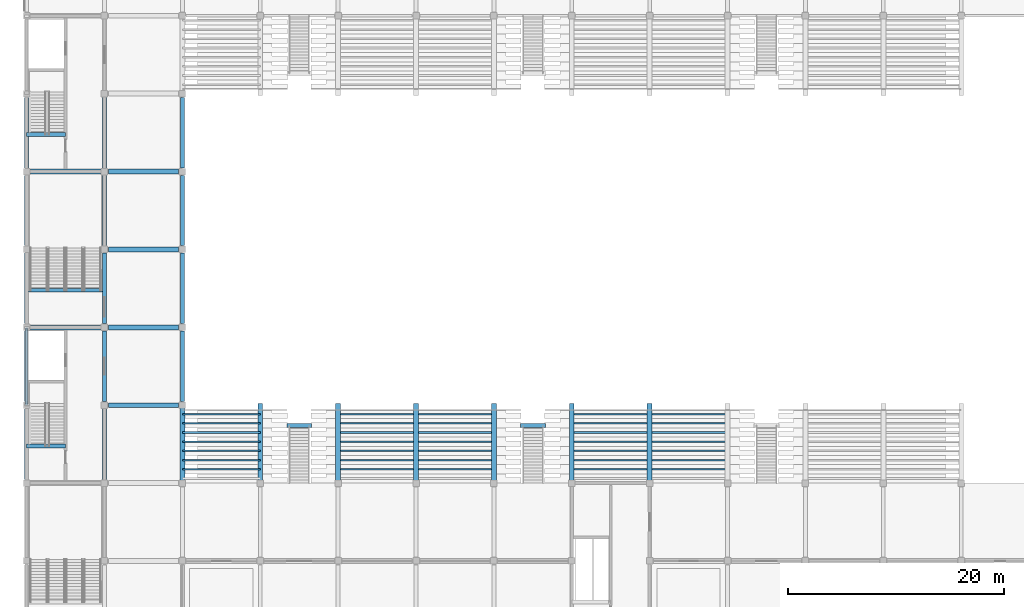
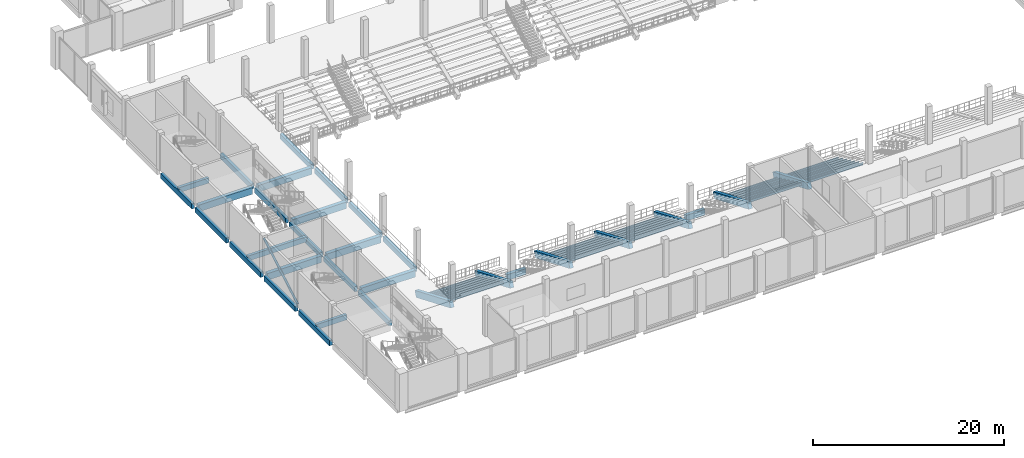
# One storey, part 12 of 99: 53 beams, 1 member.
"""IFC4 building model written with IfcOpenShell, lengths in metres."""

from ifc_helpers import new_model, si_unit, direction, frame, origin, origin_2d, place, context, subcontext, project, spatial, rectangle, hollow_circle, i_section, extrude, material, material_profile, profile_set, type_object, element, save


model = new_model("IFC4")

# Units and contexts
model_context = context("Model", 3, precision=1e-05, world=origin(), true_north=direction((0.0, 1.0)))
body_context = subcontext(model_context, "Body", "Model", "MODEL_VIEW")
ifc_project = project(units=[si_unit("LENGTHUNIT", "METRE"), si_unit("AREAUNIT", "SQUARE_METRE"), si_unit("VOLUMEUNIT", "CUBIC_METRE"), si_unit("PLANEANGLEUNIT", "RADIAN"), si_unit("MASSUNIT", "GRAM", prefix="KILO")], contexts=[model_context])

# Site, building, storey
site_placement = place(None, origin())
site = spatial("IfcSite", under=ifc_project, at=site_placement, CompositionType="ELEMENT")
building_placement = place(site_placement, origin())
building = spatial("IfcBuilding", under=site, at=building_placement, Name="Vesperath Aquatics Centre", CompositionType="ELEMENT")
storey_placement = place(building_placement, frame((0.0, 0.0, 5.39990234375)))
storey = spatial("IfcBuildingStorey", under=building, at=storey_placement, Name="L01", CompositionType="ELEMENT", Elevation=5.39990234375)

# Beams
ifc_material_1 = material(Name="Concrete C35", Category="concrete")
ifc_material_profile_1 = material_profile(ifc_material_1, rectangle(XDim=0.449951171875, YDim=0.85009765625, at=origin_2d()), Name="RC 450x850")
ifc_profile_set_1 = profile_set([ifc_material_profile_1], Name="Concrete C35")
beam_type_1 = type_object("IfcBeamType", Name="BM-G03", PredefinedType="BEAM", material=ifc_profile_set_1)
for number, where, z_axis, x_axis, name in (
    (1, (0.35009765625, 43.199951171875, -0.684814453125), (1.0, 0.0, 0.0), (0.0, 1.0, 0.0), "Floor Girder B03 L01 G 1-2"),
    (2, (0.35009765625, 57.60009765625, -0.684814453125), (1.0, 0.0, 0.0), (0.0, 1.0, 0.0), "Floor Girder B03 L01 J 1-2"),
    (3, (7.550048828125, 36.0, -0.684814453125), (1.0, 0.0, 0.0), (0.0, 1.0, 0.0), "Floor Girder B03 L01 F 2-3"),
    (4, (7.550048828125, 43.199951171875, -0.684814453125), (1.0, 0.0, 0.0), (0.0, 1.0, 0.0), "Floor Girder B03 L01 G 2-3"),
    (5, (7.550048828125, 50.39990234375, -0.684814453125), (1.0, 0.0, 0.0), (0.0, 1.0, 0.0), "Floor Girder B03 L01 H 2-3"),
    (6, (7.550048828125, 57.60009765625, -0.684814453125), (1.0, 0.0, 0.0), (0.0, 1.0, 0.0), "Floor Girder B03 L01 J 2-3"),
):
    element("IfcBeam", number, at=place(storey_placement, frame(where, z_axis=z_axis, x_axis=x_axis)), inside=storey, type_object=beam_type_1, Name=name, PredefinedType="BEAM", context=body_context, shape_type="SweptSolid", body=[
        extrude(rectangle(XDim=0.449951171875, YDim=0.85009765625, at=origin_2d()), origin(), (0.0, 0.0, 1.0), 6.5),
    ])
ifc_material_profile_2 = material_profile(ifc_material_1, rectangle(XDim=0.39990234375, YDim=0.75, at=origin_2d()), Name="RC 400x750")
ifc_profile_set_2 = profile_set([ifc_material_profile_2], Name="Concrete C35")
beam_type_2 = type_object("IfcBeamType", Name="BM-G04", PredefinedType="BEAM", material=ifc_profile_set_2)
for number, where, z_axis, x_axis, name in (
    (7, (24.050048828125, 34.1201171875, -3.574951171875), (1.0, 0.0, 0.0), (0.0, 1.0, 0.0), "Vomitory VOM-01 Portal Bearer Beam B04"),
    (8, (45.64990234375, 34.1201171875, -3.574951171875), (1.0, 0.0, 0.0), (0.0, 1.0, 0.0), "Vomitory VOM-02 Portal Bearer Beam B04"),
):
    element("IfcBeam", number, at=place(storey_placement, frame(where, z_axis=z_axis, x_axis=x_axis)), inside=storey, type_object=beam_type_2, Name=name, PredefinedType="BEAM", context=body_context, shape_type="SweptSolid", body=[
        extrude(rectangle(XDim=0.39990234375, YDim=0.75, at=origin_2d()), origin(), (0.0, 0.0, 1.0), 2.300048828125),
    ])
ifc_material_profile_3 = material_profile(ifc_material_1, rectangle(XDim=0.35009765625, YDim=0.64990234375, at=origin_2d()), Name="RC 350x650")
ifc_profile_set_3 = profile_set([ifc_material_profile_3], Name="Concrete C35")
beam_type_3 = type_object("IfcBeamType", Name="BM-G05", PredefinedType="BEAM", material=ifc_profile_set_3)
for number, where, z_axis, x_axis, name in (
    (9, (0.0, 29.14990234375, -0.5849609375), (0.0, 1.0, 0.0), (-1.0, 0.0, 0.0), "Floor Girder B05 L01 1 E-F"),
    (10, (0.0, 36.35009765625, -0.5849609375), (0.0, 1.0, 0.0), (-1.0, 0.0, 0.0), "Floor Girder B05 L01 1 F-G"),
    (11, (0.0, 43.550048828125, -0.5849609375), (0.0, 1.0, 0.0), (-1.0, 0.0, 0.0), "Floor Girder B05 L01 1 G-H"),
    (12, (0.0, 50.75, -0.5849609375), (0.0, 1.0, 0.0), (-1.0, 0.0, 0.0), "Floor Girder B05 L01 1 H-J"),
    (13, (0.0, 57.949951171875, -0.5849609375), (0.0, 1.0, 0.0), (-1.0, 0.0, 0.0), "Floor Girder B05 L01 1 J-K"),
    (14, (7.199951171875, 29.14990234375, -0.5849609375), (0.0, 1.0, 0.0), (-1.0, 0.0, 0.0), "Floor Girder B05 L01 2 E-F"),
    (15, (7.199951171875, 36.35009765625, -0.5849609375), (0.0, 1.0, 0.0), (-1.0, 0.0, 0.0), "Floor Girder B05 L01 2 F-G"),
    (16, (7.199951171875, 43.550048828125, -0.5849609375), (0.0, 1.0, 0.0), (-1.0, 0.0, 0.0), "Floor Girder B05 L01 2 G-H"),
    (17, (7.199951171875, 50.75, -0.5849609375), (0.0, 1.0, 0.0), (-1.0, 0.0, 0.0), "Floor Girder B05 L01 2 H-J"),
    (18, (7.199951171875, 57.949951171875, -0.5849609375), (0.0, 1.0, 0.0), (-1.0, 0.0, 0.0), "Floor Girder B05 L01 2 J-K"),
    (19, (14.39990234375, 36.35009765625, -0.5849609375), (0.0, 1.0, 0.0), (-1.0, 0.0, 0.0), "Floor Girder B05 L01 3 F-G"),
    (20, (14.39990234375, 43.550048828125, -0.5849609375), (0.0, 1.0, 0.0), (-1.0, 0.0, 0.0), "Floor Girder B05 L01 3 G-H"),
    (21, (14.39990234375, 50.75, -0.5849609375), (0.0, 1.0, 0.0), (-1.0, 0.0, 0.0), "Floor Girder B05 L01 3 H-J"),
    (22, (14.39990234375, 57.949951171875, -0.5849609375), (0.0, 1.0, 0.0), (-1.0, 0.0, 0.0), "Floor Girder B05 L01 3 J-K"),
):
    element("IfcBeam", number, at=place(storey_placement, frame(where, z_axis=z_axis, x_axis=x_axis)), inside=storey, type_object=beam_type_3, Name=name, PredefinedType="BEAM", context=body_context, shape_type="SweptSolid", body=[
        extrude(rectangle(XDim=0.35009765625, YDim=0.64990234375, at=origin_2d()), origin(), (0.0, 0.0, 1.0), 6.5),
    ])
for number, where, z_axis, x_axis, name in (
    (23, (0.0, 32.219970703125, -0.324951171875), (1.0, 0.0, 0.0), (0.0, 1.0, 0.0), "Stair ST1 Landing Trimmer Beam B05 L01"),
    (24, (0.0, 61.02001953125, -0.324951171875), (1.0, 0.0, 0.0), (0.0, 1.0, 0.0), "Stair ST2 Landing Trimmer Beam B05 L01"),
):
    element("IfcBeam", number, at=place(storey_placement, frame(where, z_axis=z_axis, x_axis=x_axis)), inside=storey, type_object=beam_type_3, Name=name, PredefinedType="BEAM", context=body_context, shape_type="SweptSolid", body=[
        extrude(rectangle(XDim=0.35009765625, YDim=0.64990234375, at=origin_2d()), origin(), (0.0, 0.0, 1.0), 3.60009765625),
    ])
beam_1_placement = place(storey_placement, frame((0.0, 46.6201171875, -0.324951171875), z_axis=(1.0, 0.0, 0.0), x_axis=(0.0, 1.0, 0.0)))
element("IfcBeam", 25, at=beam_1_placement, inside=storey, type_object=beam_type_3, Name="Stair ST11 Landing Trimmer Beam B05 L01", PredefinedType="BEAM", context=body_context, shape_type="SweptSolid", body=[
    extrude(rectangle(XDim=0.35009765625, YDim=0.64990234375, at=origin_2d()), origin(), (0.0, 0.0, 1.0), 7.199951171875),
])
ifc_material_2 = material(Name="Steel Q355C", Category="steel")
ifc_material_profile_4 = material_profile(ifc_material_2, i_section(OverallWidth=0.14990234375, OverallDepth=0.300048828125, WebThickness=0.006591796875, FlangeThickness=0.009033203125, FilletRadius=0.012939453125, at=origin_2d()), Name="HN 300x150x6.5x9")
ifc_profile_set_4 = profile_set([ifc_material_profile_4], Name="Steel Q355C")
beam_type_4 = type_object("IfcBeamType", Name="BM-J06", PredefinedType="JOIST", material=ifc_profile_set_4)
beam_2_placement = place(storey_placement, frame((14.39990234375, 30.074951171875, -0.929931640625), z_axis=(1.0, 0.0, 0.0), x_axis=(0.0, 1.0, 0.0)))
element("IfcBeam", 26, at=beam_2_placement, inside=storey, type_object=beam_type_4, Name="Lower Tier Bearer Beam J06 S-R2-B1M", PredefinedType="JOIST", context=body_context, shape_type="SweptSolid", body=[
    extrude(i_section(OverallWidth=0.14990234375, OverallDepth=0.300048828125, WebThickness=0.006591796875, FlangeThickness=0.009033203125, FilletRadius=0.012939453125, at=origin_2d()), origin(), (0.0, 0.0, 1.0), 7.2001953125),
])
beam_3_placement = place(storey_placement, frame((28.800048828125, 30.074951171875, -0.929931640625), z_axis=(1.0, 0.0, 0.0), x_axis=(0.0, 1.0, 0.0)))
element("IfcBeam", 27, at=beam_3_placement, inside=storey, type_object=beam_type_4, Name="Lower Tier Bearer Beam J06 S-R2-B2M", PredefinedType="JOIST", context=body_context, shape_type="SweptSolid", body=[
    extrude(i_section(OverallWidth=0.14990234375, OverallDepth=0.300048828125, WebThickness=0.006591796875, FlangeThickness=0.009033203125, FilletRadius=0.012939453125, at=origin_2d()), origin(), (0.0, 0.0, 1.0), 14.39990234375),
])
beam_4_placement = place(storey_placement, frame((50.39990234375, 30.074951171875, -0.929931640625), z_axis=(1.0, 0.0, 0.0), x_axis=(0.0, 1.0, 0.0)))
element("IfcBeam", 28, at=beam_4_placement, inside=storey, type_object=beam_type_4, Name="Lower Tier Bearer Beam J06 S-R2-B3M", PredefinedType="JOIST", context=body_context, shape_type="SweptSolid", body=[
    extrude(i_section(OverallWidth=0.14990234375, OverallDepth=0.300048828125, WebThickness=0.006591796875, FlangeThickness=0.009033203125, FilletRadius=0.012939453125, at=origin_2d()), origin(), (0.0, 0.0, 1.0), 14.400146484375),
])
beam_5_placement = place(storey_placement, frame((14.39990234375, 30.925048828125, -1.329833984375), z_axis=(1.0, 0.0, 0.0), x_axis=(0.0, 1.0, 0.0)))
element("IfcBeam", 29, at=beam_5_placement, inside=storey, type_object=beam_type_4, Name="Lower Tier Bearer Beam J06 S-R3-B1M", PredefinedType="JOIST", context=body_context, shape_type="SweptSolid", body=[
    extrude(i_section(OverallWidth=0.14990234375, OverallDepth=0.300048828125, WebThickness=0.006591796875, FlangeThickness=0.009033203125, FilletRadius=0.012939453125, at=origin_2d()), origin(), (0.0, 0.0, 1.0), 7.2001953125),
])
beam_6_placement = place(storey_placement, frame((28.800048828125, 30.925048828125, -1.329833984375), z_axis=(1.0, 0.0, 0.0), x_axis=(0.0, 1.0, 0.0)))
element("IfcBeam", 30, at=beam_6_placement, inside=storey, type_object=beam_type_4, Name="Lower Tier Bearer Beam J06 S-R3-B2M", PredefinedType="JOIST", context=body_context, shape_type="SweptSolid", body=[
    extrude(i_section(OverallWidth=0.14990234375, OverallDepth=0.300048828125, WebThickness=0.006591796875, FlangeThickness=0.009033203125, FilletRadius=0.012939453125, at=origin_2d()), origin(), (0.0, 0.0, 1.0), 14.39990234375),
])
beam_7_placement = place(storey_placement, frame((50.39990234375, 30.925048828125, -1.329833984375), z_axis=(1.0, 0.0, 0.0), x_axis=(0.0, 1.0, 0.0)))
element("IfcBeam", 31, at=beam_7_placement, inside=storey, type_object=beam_type_4, Name="Lower Tier Bearer Beam J06 S-R3-B3M", PredefinedType="JOIST", context=body_context, shape_type="SweptSolid", body=[
    extrude(i_section(OverallWidth=0.14990234375, OverallDepth=0.300048828125, WebThickness=0.006591796875, FlangeThickness=0.009033203125, FilletRadius=0.012939453125, at=origin_2d()), origin(), (0.0, 0.0, 1.0), 14.400146484375),
])
beam_8_placement = place(storey_placement, frame((14.39990234375, 31.77490234375, -1.72998046875), z_axis=(1.0, 0.0, 0.0), x_axis=(0.0, 1.0, 0.0)))
element("IfcBeam", 32, at=beam_8_placement, inside=storey, type_object=beam_type_4, Name="Lower Tier Bearer Beam J06 S-R4-B1M", PredefinedType="JOIST", context=body_context, shape_type="SweptSolid", body=[
    extrude(i_section(OverallWidth=0.14990234375, OverallDepth=0.300048828125, WebThickness=0.006591796875, FlangeThickness=0.009033203125, FilletRadius=0.012939453125, at=origin_2d()), origin(), (0.0, 0.0, 1.0), 7.2001953125),
])
beam_9_placement = place(storey_placement, frame((28.800048828125, 31.77490234375, -1.72998046875), z_axis=(1.0, 0.0, 0.0), x_axis=(0.0, 1.0, 0.0)))
element("IfcBeam", 33, at=beam_9_placement, inside=storey, type_object=beam_type_4, Name="Lower Tier Bearer Beam J06 S-R4-B2M", PredefinedType="JOIST", context=body_context, shape_type="SweptSolid", body=[
    extrude(i_section(OverallWidth=0.14990234375, OverallDepth=0.300048828125, WebThickness=0.006591796875, FlangeThickness=0.009033203125, FilletRadius=0.012939453125, at=origin_2d()), origin(), (0.0, 0.0, 1.0), 14.39990234375),
])
beam_10_placement = place(storey_placement, frame((50.39990234375, 31.77490234375, -1.72998046875), z_axis=(1.0, 0.0, 0.0), x_axis=(0.0, 1.0, 0.0)))
element("IfcBeam", 34, at=beam_10_placement, inside=storey, type_object=beam_type_4, Name="Lower Tier Bearer Beam J06 S-R4-B3M", PredefinedType="JOIST", context=body_context, shape_type="SweptSolid", body=[
    extrude(i_section(OverallWidth=0.14990234375, OverallDepth=0.300048828125, WebThickness=0.006591796875, FlangeThickness=0.009033203125, FilletRadius=0.012939453125, at=origin_2d()), origin(), (0.0, 0.0, 1.0), 14.400146484375),
])
beam_11_placement = place(storey_placement, frame((14.39990234375, 32.625, -2.1298828125), z_axis=(1.0, 0.0, 0.0), x_axis=(0.0, 1.0, 0.0)))
element("IfcBeam", 35, at=beam_11_placement, inside=storey, type_object=beam_type_4, Name="Lower Tier Bearer Beam J06 S-R5-B1M", PredefinedType="JOIST", context=body_context, shape_type="SweptSolid", body=[
    extrude(i_section(OverallWidth=0.14990234375, OverallDepth=0.300048828125, WebThickness=0.006591796875, FlangeThickness=0.009033203125, FilletRadius=0.012939453125, at=origin_2d()), origin(), (0.0, 0.0, 1.0), 7.2001953125),
])
beam_12_placement = place(storey_placement, frame((28.800048828125, 32.625, -2.1298828125), z_axis=(1.0, 0.0, 0.0), x_axis=(0.0, 1.0, 0.0)))
element("IfcBeam", 36, at=beam_12_placement, inside=storey, type_object=beam_type_4, Name="Lower Tier Bearer Beam J06 S-R5-B2M", PredefinedType="JOIST", context=body_context, shape_type="SweptSolid", body=[
    extrude(i_section(OverallWidth=0.14990234375, OverallDepth=0.300048828125, WebThickness=0.006591796875, FlangeThickness=0.009033203125, FilletRadius=0.012939453125, at=origin_2d()), origin(), (0.0, 0.0, 1.0), 14.39990234375),
])
beam_13_placement = place(storey_placement, frame((50.39990234375, 32.625, -2.1298828125), z_axis=(1.0, 0.0, 0.0), x_axis=(0.0, 1.0, 0.0)))
element("IfcBeam", 37, at=beam_13_placement, inside=storey, type_object=beam_type_4, Name="Lower Tier Bearer Beam J06 S-R5-B3M", PredefinedType="JOIST", context=body_context, shape_type="SweptSolid", body=[
    extrude(i_section(OverallWidth=0.14990234375, OverallDepth=0.300048828125, WebThickness=0.006591796875, FlangeThickness=0.009033203125, FilletRadius=0.012939453125, at=origin_2d()), origin(), (0.0, 0.0, 1.0), 14.400146484375),
])
beam_14_placement = place(storey_placement, frame((14.39990234375, 33.47509765625, -2.52978515625), z_axis=(1.0, 0.0, 0.0), x_axis=(0.0, 1.0, 0.0)))
element("IfcBeam", 38, at=beam_14_placement, inside=storey, type_object=beam_type_4, Name="Lower Tier Bearer Beam J06 S-R6-B1M", PredefinedType="JOIST", context=body_context, shape_type="SweptSolid", body=[
    extrude(i_section(OverallWidth=0.14990234375, OverallDepth=0.300048828125, WebThickness=0.006591796875, FlangeThickness=0.009033203125, FilletRadius=0.012939453125, at=origin_2d()), origin(), (0.0, 0.0, 1.0), 7.2001953125),
])
beam_15_placement = place(storey_placement, frame((28.800048828125, 33.47509765625, -2.52978515625), z_axis=(1.0, 0.0, 0.0), x_axis=(0.0, 1.0, 0.0)))
element("IfcBeam", 39, at=beam_15_placement, inside=storey, type_object=beam_type_4, Name="Lower Tier Bearer Beam J06 S-R6-B2M", PredefinedType="JOIST", context=body_context, shape_type="SweptSolid", body=[
    extrude(i_section(OverallWidth=0.14990234375, OverallDepth=0.300048828125, WebThickness=0.006591796875, FlangeThickness=0.009033203125, FilletRadius=0.012939453125, at=origin_2d()), origin(), (0.0, 0.0, 1.0), 14.39990234375),
])
beam_16_placement = place(storey_placement, frame((50.39990234375, 33.47509765625, -2.52978515625), z_axis=(1.0, 0.0, 0.0), x_axis=(0.0, 1.0, 0.0)))
element("IfcBeam", 40, at=beam_16_placement, inside=storey, type_object=beam_type_4, Name="Lower Tier Bearer Beam J06 S-R6-B3M", PredefinedType="JOIST", context=body_context, shape_type="SweptSolid", body=[
    extrude(i_section(OverallWidth=0.14990234375, OverallDepth=0.300048828125, WebThickness=0.006591796875, FlangeThickness=0.009033203125, FilletRadius=0.012939453125, at=origin_2d()), origin(), (0.0, 0.0, 1.0), 14.400146484375),
])
beam_17_placement = place(storey_placement, frame((14.39990234375, 34.324951171875, -2.929931640625), z_axis=(1.0, 0.0, 0.0), x_axis=(0.0, 1.0, 0.0)))
element("IfcBeam", 41, at=beam_17_placement, inside=storey, type_object=beam_type_4, Name="Lower Tier Bearer Beam J06 S-R7-B1M", PredefinedType="JOIST", context=body_context, shape_type="SweptSolid", body=[
    extrude(i_section(OverallWidth=0.14990234375, OverallDepth=0.300048828125, WebThickness=0.006591796875, FlangeThickness=0.009033203125, FilletRadius=0.012939453125, at=origin_2d()), origin(), (0.0, 0.0, 1.0), 7.2001953125),
])
beam_18_placement = place(storey_placement, frame((28.800048828125, 34.324951171875, -2.929931640625), z_axis=(1.0, 0.0, 0.0), x_axis=(0.0, 1.0, 0.0)))
element("IfcBeam", 42, at=beam_18_placement, inside=storey, type_object=beam_type_4, Name="Lower Tier Bearer Beam J06 S-R7-B2M", PredefinedType="JOIST", context=body_context, shape_type="SweptSolid", body=[
    extrude(i_section(OverallWidth=0.14990234375, OverallDepth=0.300048828125, WebThickness=0.006591796875, FlangeThickness=0.009033203125, FilletRadius=0.012939453125, at=origin_2d()), origin(), (0.0, 0.0, 1.0), 14.39990234375),
])
beam_19_placement = place(storey_placement, frame((50.39990234375, 34.324951171875, -2.929931640625), z_axis=(1.0, 0.0, 0.0), x_axis=(0.0, 1.0, 0.0)))
element("IfcBeam", 43, at=beam_19_placement, inside=storey, type_object=beam_type_4, Name="Lower Tier Bearer Beam J06 S-R7-B3M", PredefinedType="JOIST", context=body_context, shape_type="SweptSolid", body=[
    extrude(i_section(OverallWidth=0.14990234375, OverallDepth=0.300048828125, WebThickness=0.006591796875, FlangeThickness=0.009033203125, FilletRadius=0.012939453125, at=origin_2d()), origin(), (0.0, 0.0, 1.0), 14.400146484375),
])
beam_20_placement = place(storey_placement, frame((14.39990234375, 35.175048828125, -3.329833984375), z_axis=(1.0, 0.0, 0.0), x_axis=(0.0, 1.0, 0.0)))
element("IfcBeam", 44, at=beam_20_placement, inside=storey, type_object=beam_type_4, Name="Lower Tier Bearer Beam J06 S-R8-B1M", PredefinedType="JOIST", context=body_context, shape_type="SweptSolid", body=[
    extrude(i_section(OverallWidth=0.14990234375, OverallDepth=0.300048828125, WebThickness=0.006591796875, FlangeThickness=0.009033203125, FilletRadius=0.012939453125, at=origin_2d()), origin(), (0.0, 0.0, 1.0), 7.2001953125),
])
beam_21_placement = place(storey_placement, frame((28.800048828125, 35.175048828125, -3.329833984375), z_axis=(1.0, 0.0, 0.0), x_axis=(0.0, 1.0, 0.0)))
element("IfcBeam", 45, at=beam_21_placement, inside=storey, type_object=beam_type_4, Name="Lower Tier Bearer Beam J06 S-R8-B2M", PredefinedType="JOIST", context=body_context, shape_type="SweptSolid", body=[
    extrude(i_section(OverallWidth=0.14990234375, OverallDepth=0.300048828125, WebThickness=0.006591796875, FlangeThickness=0.009033203125, FilletRadius=0.012939453125, at=origin_2d()), origin(), (0.0, 0.0, 1.0), 14.39990234375),
])
beam_22_placement = place(storey_placement, frame((50.39990234375, 35.175048828125, -3.329833984375), z_axis=(1.0, 0.0, 0.0), x_axis=(0.0, 1.0, 0.0)))
element("IfcBeam", 46, at=beam_22_placement, inside=storey, type_object=beam_type_4, Name="Lower Tier Bearer Beam J06 S-R8-B3M", PredefinedType="JOIST", context=body_context, shape_type="SweptSolid", body=[
    extrude(i_section(OverallWidth=0.14990234375, OverallDepth=0.300048828125, WebThickness=0.006591796875, FlangeThickness=0.009033203125, FilletRadius=0.012939453125, at=origin_2d()), origin(), (0.0, 0.0, 1.0), 14.400146484375),
])
ifc_material_profile_5 = material_profile(ifc_material_1, rectangle(XDim=0.449951171875, YDim=0.800048828125, at=origin_2d()), Name="RC 450x800")
ifc_profile_set_5 = profile_set([ifc_material_profile_5], Name="Concrete C35")
beam_type_5 = type_object("IfcBeamType", Name="BM-RK01", PredefinedType="USERDEFINED", material=ifc_profile_set_5)
for number, where, z_axis, x_axis, name in (
    (47, (14.39990234375, 28.800048828125, -0.449951171875), (0.0, 0.923075997031, -0.384617607118), (-1.0, 0.0, 0.0), "Lower Stand RAKER Beam RK01 South 3"),
    (48, (21.60009765625, 28.800048828125, -0.449951171875), (0.0, 0.923075997031, -0.384617607118), (-1.0, 0.0, 0.0), "Lower Stand RAKER Beam RK01 South 4"),
    (49, (28.800048828125, 28.800048828125, -0.449951171875), (0.0, 0.923075997031, -0.384617607118), (-1.0, 0.0, 0.0), "Lower Stand RAKER Beam RK01 South 5"),
    (50, (36.0, 28.800048828125, -0.449951171875), (0.0, 0.923075997031, -0.384617607118), (-1.0, 0.0, 0.0), "Lower Stand RAKER Beam RK01 South 6"),
    (51, (43.199951171875, 28.800048828125, -0.449951171875), (0.0, 0.923075997031, -0.384617607118), (-1.0, 0.0, 0.0), "Lower Stand RAKER Beam RK01 South 7"),
    (52, (50.39990234375, 28.800048828125, -0.449951171875), (0.0, 0.923075997031, -0.384617607118), (-1.0, 0.0, 0.0), "Lower Stand RAKER Beam RK01 South 8"),
    (53, (57.60009765625, 28.800048828125, -0.449951171875), (0.0, 0.923075997031, -0.384617607118), (-1.0, 0.0, 0.0), "Lower Stand RAKER Beam RK01 South 9"),
):
    element("IfcBeam", number, at=place(storey_placement, frame(where, z_axis=z_axis, x_axis=x_axis)), inside=storey, type_object=beam_type_5, Name=name, ObjectType="RAKER", PredefinedType="USERDEFINED", context=body_context, shape_type="SweptSolid", body=[
        extrude(rectangle(XDim=0.449951171875, YDim=0.800048828125, at=origin_2d()), origin(), (0.0, 0.0, 1.0), 7.800048828125),
    ])

# Member
ifc_material_3 = material(Name="Steel Q355D", Category="steel")
ifc_material_profile_6 = material_profile(ifc_material_3, hollow_circle(Radius=0.136474609375, WallThickness=0.011962890625, at=origin_2d()), Name="CHS 273.0x12")
ifc_profile_set_6 = profile_set([ifc_material_profile_6], Name="Steel Q355D")
member_type = type_object("IfcMemberType", Name="MB-TS02", PredefinedType="STRUT", material=ifc_profile_set_6)
member_placement = place(storey_placement, frame((0.0, 36.069091796875, 0.1904296875), z_axis=(0.0, 0.863777817794, 0.503872882269), x_axis=(-1.0, 0.0, 0.0)))
element("IfcMember", 54, at=member_placement, inside=storey, type_object=member_type, Name="Lateral Braced Frame Strut C1_W L01", PredefinedType="STRUT", context=body_context, shape_type="SweptSolid", body=[
    extrude(hollow_circle(Radius=0.136474609375, WallThickness=0.011962890625, at=origin_2d()), origin(), (0.0, 0.0, 1.0), 8.175537109375),
])

save(model, "model.ifc")
